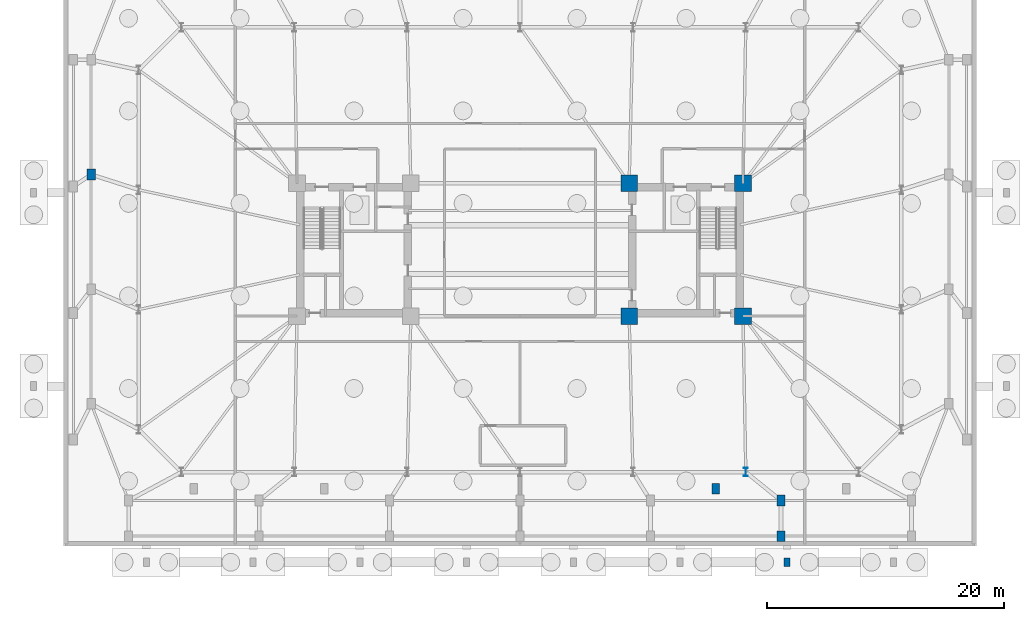
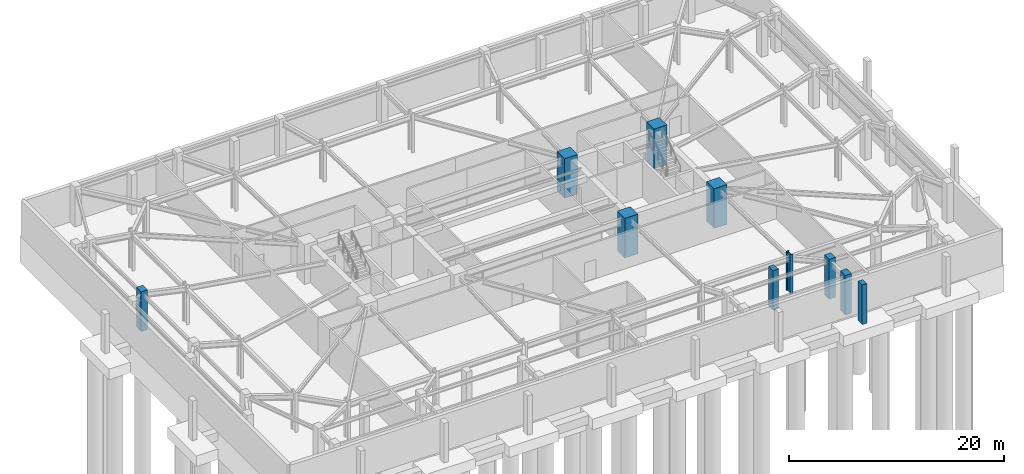
# One storey, part 3 of 15: 10 columns.
"""IFC4 building model written with IfcOpenShell, lengths in metres."""

from ifc_helpers import new_model, si_unit, direction, frame, origin, origin_2d, place, context, subcontext, project, spatial, rectangle, i_section, extrude, material, material_profile, profile_set, type_object, element, save


model = new_model("IFC4")

# Units and contexts
model_context = context("Model", 3, precision=1e-05, world=origin(), true_north=direction((0.0, 1.0)))
body_context = subcontext(model_context, "Body", "Model", "MODEL_VIEW")
ifc_project = project(units=[si_unit("LENGTHUNIT", "METRE"), si_unit("AREAUNIT", "SQUARE_METRE"), si_unit("VOLUMEUNIT", "CUBIC_METRE"), si_unit("PLANEANGLEUNIT", "RADIAN"), si_unit("MASSUNIT", "GRAM", prefix="KILO")], contexts=[model_context])

# Site, building, storey
site_placement = place(None, origin())
site = spatial("IfcSite", under=ifc_project, at=site_placement, CompositionType="ELEMENT")
building_placement = place(site_placement, origin())
building = spatial("IfcBuilding", under=site, at=building_placement, Name="Qobustan Lattice House", CompositionType="ELEMENT")
storey_placement = place(building_placement, frame((0.0, 0.0, -9.0)))
storey = spatial("IfcBuildingStorey", under=building, at=storey_placement, Name="B02", CompositionType="ELEMENT", Elevation=-9.0)

# Columns
ifc_material_1 = material(Name="Concrete C50/60", Category="concrete")
ifc_material_profile_1 = material_profile(ifc_material_1, rectangle(XDim=0.5, YDim=0.75, at=origin_2d()), Name="RC500x750")
ifc_profile_set_1 = profile_set([ifc_material_profile_1], Name="Concrete C50/60")
column_type_1 = type_object("IfcColumnType", Name="COL-PIER-500x750", PredefinedType="USERDEFINED", material=ifc_profile_set_1)
column_1_placement = place(storey_placement, frame((22.5, -26.35009765625, 0.0), z_axis=(0.0, 0.0, 1.0), x_axis=(1.0, 0.0, 0.0)))
element("IfcColumn", 1, at=column_1_placement, inside=storey, type_object=column_type_1, Name="B02 entrance canopy pier PR-07", ObjectType="PIER", PredefinedType="USERDEFINED", context=body_context, shape_type="SweptSolid", body=[
    extrude(rectangle(XDim=0.5, YDim=0.75, at=origin_2d()), origin(), (0.0, 0.0, 1.0), 4.5),
])
ifc_material_2 = material(Name="Concrete C50/60", Category="concrete")
ifc_material_profile_2 = material_profile(ifc_material_2, rectangle(XDim=0.60009765625, YDim=0.85009765625, at=origin_2d()), Name="RC600x850")
ifc_profile_set_2 = profile_set([ifc_material_profile_2], Name="Concrete C50/60")
column_type_2 = type_object("IfcColumnType", Name="COL-PIL-600x850", PredefinedType="PILASTER", material=ifc_profile_set_2)
column_2_placement = place(storey_placement, frame((16.5, -20.14990234375, 0.0), z_axis=(0.0, 0.0, 1.0), x_axis=(1.0, 0.0, 0.0)))
element("IfcColumn", 2, at=column_2_placement, inside=storey, type_object=column_type_2, Name="B02 colonnade pilaster S3", PredefinedType="PILASTER", context=body_context, shape_type="SweptSolid", body=[
    extrude(rectangle(XDim=0.60009765625, YDim=0.85009765625, at=origin_2d()), origin(), (0.0, 0.0, 1.0), 4.5),
])
ifc_material_3 = material(Name="Concrete C60/75", Category="concrete")
ifc_material_profile_3 = material_profile(ifc_material_3, rectangle(XDim=1.39990234375, YDim=1.39990234375, at=origin_2d()), Name="RC1400x1400")
ifc_profile_set_3 = profile_set([ifc_material_profile_3], Name="Concrete C60/75")
column_type_3 = type_object("IfcColumnType", Name="COL-RC-1400", PredefinedType="COLUMN", material=ifc_profile_set_3)
for number, where, z_axis, x_axis, name in (
    (3, (9.199951171875, -5.60009765625, 0.0), (0.0, 0.0, 1.0), (1.0, 0.0, 0.0), "B02 core mega-column CE-SW"),
    (4, (9.199951171875, 5.60009765625, 0.0), (0.0, 0.0, 1.0), (1.0, 0.0, 0.0), "B02 core mega-column CE-NW"),
    (5, (18.800048828125, -5.60009765625, 0.0), (0.0, 0.0, 1.0), (1.0, 0.0, 0.0), "B02 core mega-column CE-SE"),
    (6, (18.800048828125, 5.60009765625, 0.0), (0.0, 0.0, 1.0), (1.0, 0.0, 0.0), "B02 core mega-column CE-NE"),
):
    element("IfcColumn", number, at=place(storey_placement, frame(where, z_axis=z_axis, x_axis=x_axis)), inside=storey, type_object=column_type_3, Name=name, PredefinedType="COLUMN", context=body_context, shape_type="SweptSolid", body=[
        extrude(rectangle(XDim=1.39990234375, YDim=1.39990234375, at=origin_2d()), origin(), (0.0, 0.0, 1.0), 4.5),
    ])
ifc_material_4 = material(Name="Concrete C50/60", Category="concrete")
ifc_material_profile_4 = material_profile(ifc_material_4, rectangle(XDim=0.699951171875, YDim=0.89990234375, at=origin_2d()), Name="RC700x900")
ifc_profile_set_4 = profile_set([ifc_material_profile_4], Name="Concrete C50/60")
column_type_4 = type_object("IfcColumnType", Name="COL-RC-700x900", PredefinedType="COLUMN", material=ifc_profile_set_4)
for number, where, z_axis, x_axis, name in (
    (7, (22.0, -21.14990234375, 0.0), (0.0, 0.0, 1.0), (1.0, 0.0, 0.0), "B02 podium column PS6"),
    (8, (-36.14990234375, 6.33349609375, 0.0), (0.0, 0.0, 1.0), (1.0, 0.0, 0.0), "B02 podium column PW3"),
    (9, (22.0, -24.14990234375, 0.0), (0.0, 0.0, 1.0), (1.0, 0.0, 0.0), "B02 lower podium perimeter column PSL6"),
):
    element("IfcColumn", number, at=place(storey_placement, frame(where, z_axis=z_axis, x_axis=x_axis)), inside=storey, type_object=column_type_4, Name=name, PredefinedType="COLUMN", context=body_context, shape_type="SweptSolid", body=[
        extrude(rectangle(XDim=0.699951171875, YDim=0.89990234375, at=origin_2d()), origin(), (0.0, 0.0, 1.0), 4.5),
    ])
ifc_material_5 = material(Name="Steel S460", Category="steel")
ifc_material_profile_5 = material_profile(ifc_material_5, i_section(OverallWidth=0.303955078125, OverallDepth=0.716064453125, WebThickness=0.02099609375, FlangeThickness=0.0400390625, FilletRadius=0.027099609375, at=origin_2d()), Name="HEM700")
ifc_profile_set_5 = profile_set([ifc_material_profile_5], Name="Steel S460")
column_type_5 = type_object("IfcColumnType", Name="COL-ST-HEM700", PredefinedType="COLUMN", material=ifc_profile_set_5)
column_3_placement = place(storey_placement, frame((19.033203125, -18.75, 0.0), z_axis=(0.0, 0.0, 1.0), x_axis=(1.0, 0.0, 0.0)))
element("IfcColumn", 10, at=column_3_placement, inside=storey, type_object=column_type_5, Name="B02 tower base column S6", PredefinedType="COLUMN", context=body_context, shape_type="SweptSolid", body=[
    extrude(i_section(OverallWidth=0.303955078125, OverallDepth=0.716064453125, WebThickness=0.02099609375, FlangeThickness=0.0400390625, FilletRadius=0.027099609375, at=origin_2d()), origin(), (0.0, 0.0, 1.0), 4.5),
])

save(model, "model.ifc")
